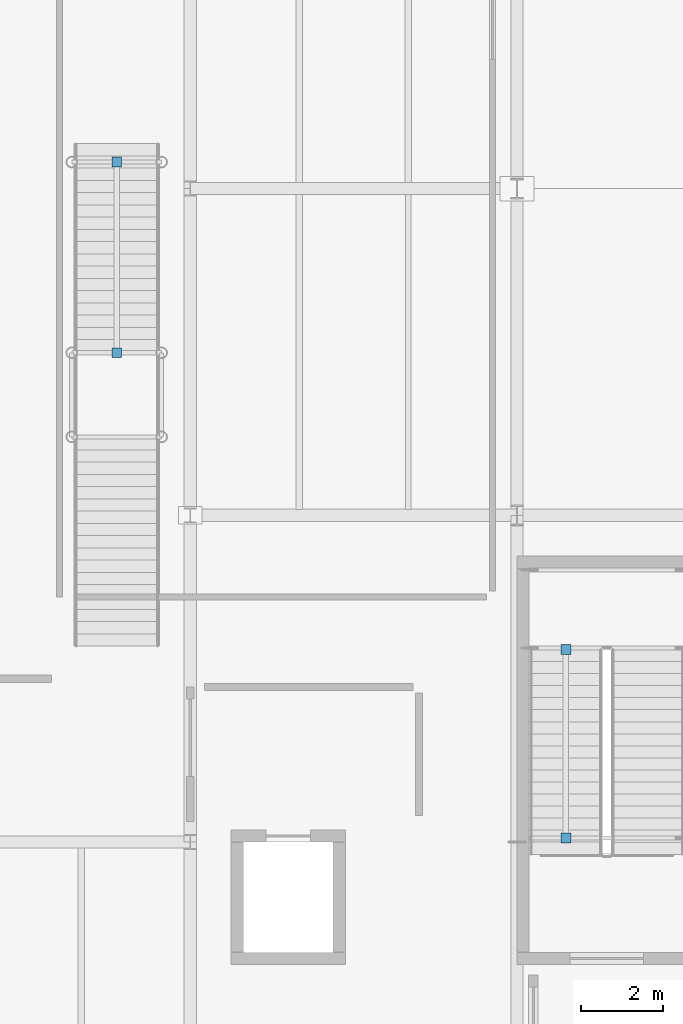
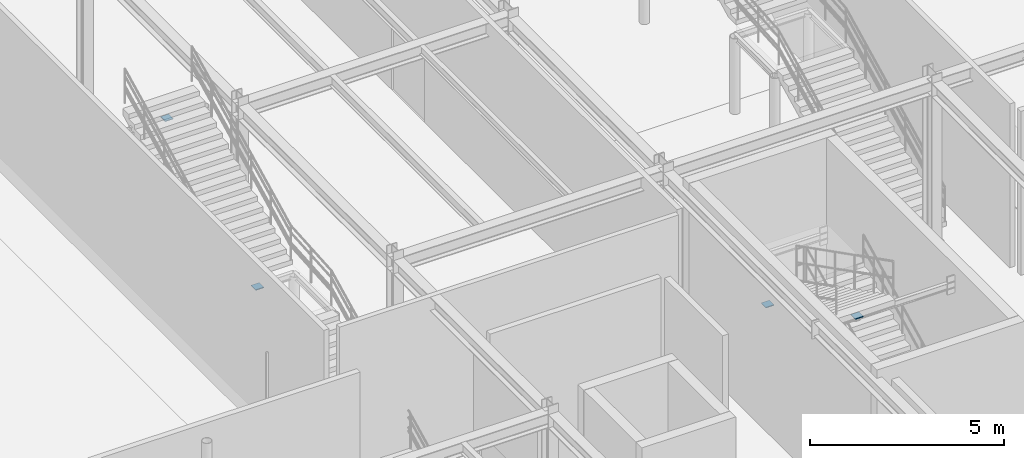
# One storey, part 105 of 129: 4 discrete accessories.
"""IFC4 building model written with IfcOpenShell, lengths in metres."""

from ifc_helpers import new_model, si_unit, direction, frame, origin, origin_2d, place, context, subcontext, project, spatial, rectangle, extrude, material, type_object, element, save


model = new_model("IFC4")

# Units and contexts
model_context = context("Model", 3, precision=1e-05, world=origin(), true_north=direction((0.0, 1.0)))
body_context = subcontext(model_context, "Body", "Model", "MODEL_VIEW")
ifc_project = project(units=[si_unit("LENGTHUNIT", "METRE"), si_unit("AREAUNIT", "SQUARE_METRE"), si_unit("VOLUMEUNIT", "CUBIC_METRE"), si_unit("PLANEANGLEUNIT", "RADIAN"), si_unit("MASSUNIT", "GRAM", prefix="KILO")], contexts=[model_context])

# Site, building, storey
site_placement = place(None, origin())
site = spatial("IfcSite", under=ifc_project, at=site_placement, CompositionType="ELEMENT")
building_placement = place(site_placement, origin())
building = spatial("IfcBuilding", under=site, at=building_placement, Name="Sundkrona Museum", CompositionType="ELEMENT")
storey_placement = place(building_placement, origin())
storey = spatial("IfcBuildingStorey", under=building, at=storey_placement, Name="L00", CompositionType="ELEMENT", Elevation=0.0)

# Discrete accessories
ifc_material = material(Name="Stainless Steel EN 1.4404 Cleat", Category="steel")
discrete_accessory_type = type_object("IfcDiscreteAccessoryType", Name="BRK-FIN-01", PredefinedType="BRACKET", material=ifc_material)
for number, where, z_axis, x_axis, name in (
    (1, (121.199951171875, 12.715087890625, 2.367431640625), (0.0, 0.0, 1.0), (1.0, 0.0, 0.0), "Brace and Strut End Connection Plate RK-ST-ST-2-L00-2-1"),
    (2, (121.199951171875, 8.10009765625, 4.8017578125), (0.0, 0.0, 1.0), (1.0, 0.0, 0.0), "Brace and Strut End Connection Plate RK-ST-ST-2-L00-2-2"),
    (3, (110.199951171875, 19.97998046875, 2.367431640625), (0.0, 0.0, 1.0), (1.0, 0.0, 0.0), "Brace and Strut End Connection Plate RK-FS-1-FL2-1"),
    (4, (110.199951171875, 24.64990234375, 4.84765625), (0.0, 0.0, 1.0), (1.0, 0.0, 0.0), "Brace and Strut End Connection Plate RK-FS-1-FL2-2"),
):
    element("IfcDiscreteAccessory", number, at=place(storey_placement, frame(where, z_axis=z_axis, x_axis=x_axis)), inside=storey, type_object=discrete_accessory_type, Name=name, PredefinedType="BRACKET", context=body_context, shape_type="SweptSolid", body=[
        extrude(rectangle(XDim=0.239990234375, YDim=0.239990234375, at=origin_2d()), origin(), (0.0, 0.0, 1.0), 0.02490234375),
    ])

save(model, "model.ifc")
